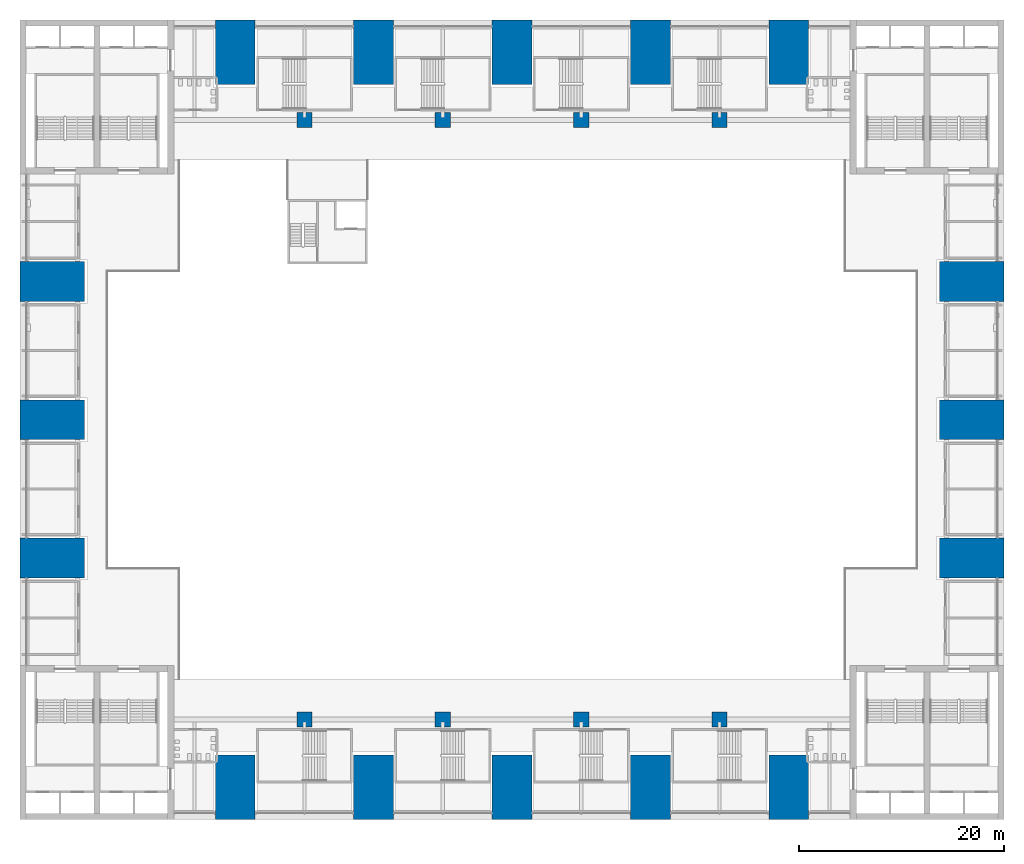
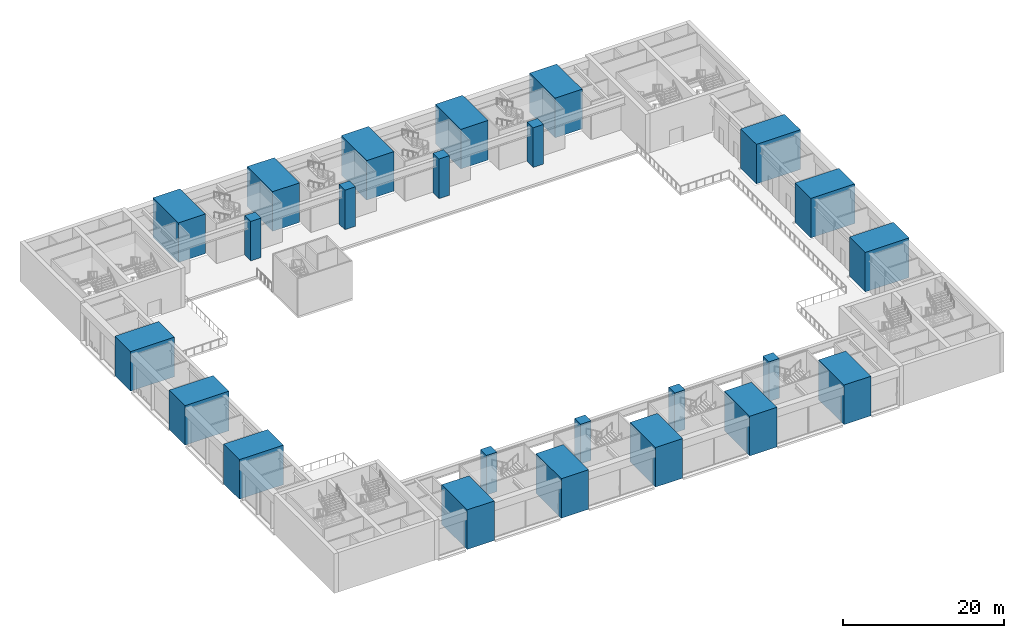
# One storey, part 1 of 41: 24 columns.
"""IFC4 building model written with IfcOpenShell, lengths in metres."""

from ifc_helpers import new_model, si_unit, direction, frame, origin, origin_2d, place, context, subcontext, project, spatial, rectangle, extrude, material, material_profile, profile_set, type_object, element, save


model = new_model("IFC4")

# Units and contexts
model_context = context("Model", 3, precision=1e-05, world=origin(), true_north=direction((0.0, 1.0)))
body_context = subcontext(model_context, "Body", "Model", "MODEL_VIEW")
ifc_project = project(units=[si_unit("LENGTHUNIT", "METRE"), si_unit("AREAUNIT", "SQUARE_METRE"), si_unit("VOLUMEUNIT", "CUBIC_METRE"), si_unit("PLANEANGLEUNIT", "RADIAN"), si_unit("MASSUNIT", "GRAM", prefix="KILO")], contexts=[model_context])

# Site, building, storey
site_placement = place(None, origin())
site = spatial("IfcSite", under=ifc_project, at=site_placement, CompositionType="ELEMENT")
building_placement = place(site_placement, origin())
building = spatial("IfcBuilding", under=site, at=building_placement, Name="Corbelhall Arena Tower", CompositionType="ELEMENT")
storey_placement = place(building_placement, frame((0.0, 0.0, 19.0)))
storey = spatial("IfcBuildingStorey", under=building, at=storey_placement, Name="L02", CompositionType="ELEMENT", Elevation=19.0)

# Columns
ifc_material = material(Name="Concrete C80/95", Category="concrete")
ifc_material_profile_1 = material_profile(ifc_material, rectangle(XDim=3.89990234375, YDim=6.300048828125, at=origin_2d()))
ifc_profile_set_1 = profile_set([ifc_material_profile_1], Name="Concrete C80/95")
column_type_1 = type_object("IfcColumnType", Name="PO-PIER-L02", PredefinedType="COLUMN", material=ifc_profile_set_1)
for number, where, z_axis, x_axis, name in (
    (1, (-27.0, 35.85009765625, 0.0), (0.0, 0.0, 1.0), (1.0, 0.0, 0.0), "PIER N-27.0 L02"),
    (2, (-27.0, -35.85009765625, 0.0), (0.0, 0.0, 1.0), (1.0, 0.0, 0.0), "PIER S-27.0 L02"),
    (3, (-13.5, 35.85009765625, 0.0), (0.0, 0.0, 1.0), (1.0, 0.0, 0.0), "PIER N-13.5 L02"),
    (4, (-13.5, -35.85009765625, 0.0), (0.0, 0.0, 1.0), (1.0, 0.0, 0.0), "PIER S-13.5 L02"),
    (5, (0.0, 35.85009765625, 0.0), (0.0, 0.0, 1.0), (1.0, 0.0, 0.0), "PIER N+0.0 L02"),
    (6, (0.0, -35.85009765625, 0.0), (0.0, 0.0, 1.0), (1.0, 0.0, 0.0), "PIER S+0.0 L02"),
    (7, (13.5, 35.85009765625, 0.0), (0.0, 0.0, 1.0), (1.0, 0.0, 0.0), "PIER N+13.5 L02"),
    (8, (13.5, -35.85009765625, 0.0), (0.0, 0.0, 1.0), (1.0, 0.0, 0.0), "PIER S+13.5 L02"),
    (9, (27.0, 35.85009765625, 0.0), (0.0, 0.0, 1.0), (1.0, 0.0, 0.0), "PIER N+27.0 L02"),
    (10, (27.0, -35.85009765625, 0.0), (0.0, 0.0, 1.0), (1.0, 0.0, 0.0), "PIER S+27.0 L02"),
    (11, (44.85009765625, -13.5, 0.0), (0.0, 0.0, 1.0), (0.0, 1.0, 0.0), "PIER E-13.5 L02"),
    (12, (-44.85009765625, -13.5, 0.0), (0.0, 0.0, 1.0), (0.0, 1.0, 0.0), "PIER W-13.5 L02"),
    (13, (44.85009765625, 0.0, 0.0), (0.0, 0.0, 1.0), (0.0, 1.0, 0.0), "PIER E+0.0 L02"),
    (14, (-44.85009765625, 0.0, 0.0), (0.0, 0.0, 1.0), (0.0, 1.0, 0.0), "PIER W+0.0 L02"),
    (15, (44.85009765625, 13.5, 0.0), (0.0, 0.0, 1.0), (0.0, 1.0, 0.0), "PIER E+13.5 L02"),
    (16, (-44.85009765625, 13.5, 0.0), (0.0, 0.0, 1.0), (0.0, 1.0, 0.0), "PIER W+13.5 L02"),
):
    element("IfcColumn", number, at=place(storey_placement, frame(where, z_axis=z_axis, x_axis=x_axis)), inside=storey, type_object=column_type_1, Name=name, PredefinedType="COLUMN", context=body_context, shape_type="SweptSolid", body=[
        extrude(rectangle(XDim=3.89990234375, YDim=6.300048828125, at=origin_2d()), origin(), (0.0, 0.0, 1.0), 6.0),
    ])
ifc_material_profile_2 = material_profile(ifc_material, rectangle(XDim=1.5, YDim=1.5, at=origin_2d()))
ifc_profile_set_2 = profile_set([ifc_material_profile_2], Name="Concrete C80/95")
column_type_2 = type_object("IfcColumnType", Name="PO-RINGCOL-1500", PredefinedType="COLUMN", material=ifc_profile_set_2)
for number, where, z_axis, x_axis, name in (
    (17, (-20.25, 29.25, 0.0), (0.0, 0.0, 1.0), (1.0, 0.0, 0.0), "RING COLUMN -20.25 +29.25 L02"),
    (18, (-20.25, -29.25, 0.0), (0.0, 0.0, 1.0), (1.0, 0.0, 0.0), "RING COLUMN -20.25 -29.25 L02"),
    (19, (-6.75, 29.25, 0.0), (0.0, 0.0, 1.0), (1.0, 0.0, 0.0), "RING COLUMN -6.75 +29.25 L02"),
    (20, (-6.75, -29.25, 0.0), (0.0, 0.0, 1.0), (1.0, 0.0, 0.0), "RING COLUMN -6.75 -29.25 L02"),
    (21, (6.75, 29.25, 0.0), (0.0, 0.0, 1.0), (1.0, 0.0, 0.0), "RING COLUMN +6.75 +29.25 L02"),
    (22, (6.75, -29.25, 0.0), (0.0, 0.0, 1.0), (1.0, 0.0, 0.0), "RING COLUMN +6.75 -29.25 L02"),
    (23, (20.25, 29.25, 0.0), (0.0, 0.0, 1.0), (1.0, 0.0, 0.0), "RING COLUMN +20.25 +29.25 L02"),
    (24, (20.25, -29.25, 0.0), (0.0, 0.0, 1.0), (1.0, 0.0, 0.0), "RING COLUMN +20.25 -29.25 L02"),
):
    element("IfcColumn", number, at=place(storey_placement, frame(where, z_axis=z_axis, x_axis=x_axis)), inside=storey, type_object=column_type_2, Name=name, PredefinedType="COLUMN", context=body_context, shape_type="SweptSolid", body=[
        extrude(rectangle(XDim=1.5, YDim=1.5, at=origin_2d()), origin(), (0.0, 0.0, 1.0), 6.0),
    ])

save(model, "model.ifc")
